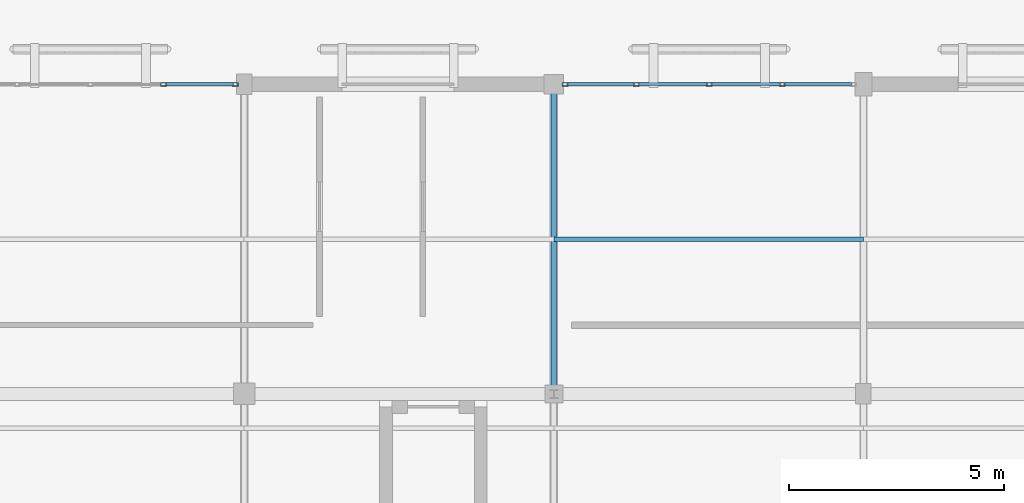
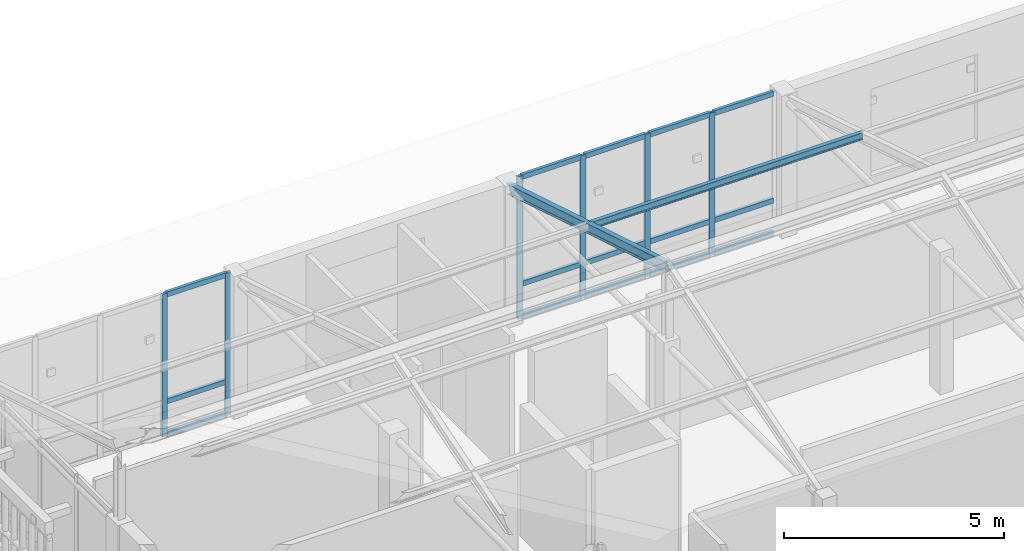
# One storey, part 35 of 61: 23 members, 2 elements without a shape of their own.
"""IFC4 building model written with IfcOpenShell, lengths in metres."""

import ifcopenshell
import ifcopenshell.guid

model = None  # the IFC model being written
_history = None  # IfcOwnerHistory: only IFC2X3 demands one
_inside = {}  # id of a spatial element -> (the spatial element, [elements in it])
_under = {}  # id of a project, library or spatial element -> (it, [spatial elements below it])
_declared = {}  # id of a project -> (the project, [libraries it declares])
_typed = {}  # id of a type object -> (the type object, [elements of that type])
_made_of = {}  # id of a material, layer set ... -> (it, [elements and type objects made of it])


def new_model(schema):
    """Start an empty IFC model of exactly this schema.

    Asked for "IFC4X3", IfcOpenShell would pick the latest addendum, in which some entities
    have other attributes; the version numbers below select the first issue.
    IFC2X3 requires an IfcOwnerHistory on every rooted entity: one is made here for all.
    """
    global model, _history
    if schema == "IFC4X3":
        model = ifcopenshell.file(schema_version=(4, 3, 0, 0))
    else:
        model = ifcopenshell.file(schema=schema)
    _inside.clear()
    _under.clear()
    _declared.clear()
    _typed.clear()
    _made_of.clear()
    _history = None
    if model.schema == "IFC2X3":
        org = make("IfcOrganization", Name="unknown")
        user = make(
            "IfcPersonAndOrganization",
            ThePerson=make("IfcPerson", FamilyName="unknown"),
            TheOrganization=org,
        )
        app = make(
            "IfcApplication",
            ApplicationDeveloper=org,
            Version="unknown",
            ApplicationFullName="unknown",
            ApplicationIdentifier="unknown",
        )
        _history = make(
            "IfcOwnerHistory",
            OwningUser=user,
            OwningApplication=app,
            ChangeAction="ADDED",
            CreationDate=0,
        )
    return model


def make(cls, **values):
    """One entity of the class cls with the attributes given. An attribute that is None is left unset."""
    return model.create_entity(
        cls, **{name: value for name, value in values.items() if value is not None}
    )


def rooted(cls, **values):
    """An entity with a GlobalId (a new one), such as an element, a storey or a relation."""
    return make(cls, GlobalId=ifcopenshell.guid.new(), OwnerHistory=_history, **values)


def si_unit(unit_type, name, prefix=None):
    """IfcSIUnit, for example si_unit("LENGTHUNIT", "METRE", prefix="MILLI")."""
    return make("IfcSIUnit", UnitType=unit_type, Prefix=prefix, Name=name)


def assignment(units):
    """IfcUnitAssignment: the units of a project."""
    return None if units is None else make("IfcUnitAssignment", Units=units)


def point(xyz):
    """IfcCartesianPoint."""
    return None if xyz is None else make("IfcCartesianPoint", Coordinates=xyz)


def direction(xyz):
    """IfcDirection."""
    return None if xyz is None else make("IfcDirection", DirectionRatios=xyz)


def frame(location, z_axis=None, x_axis=None):
    """IfcAxis2Placement3D, a coordinate frame: its origin and axes. An axis left out is left unset."""
    return make(
        "IfcAxis2Placement3D",
        Location=point(location),
        Axis=direction(z_axis),
        RefDirection=direction(x_axis),
    )


def frame_2d(location, x_axis=None):
    """IfcAxis2Placement2D, a coordinate frame in the plane: its origin and x axis."""
    return make(
        "IfcAxis2Placement2D", Location=point(location), RefDirection=direction(x_axis)
    )


def origin():
    """The frame at (0, 0, 0) with its axes left unset."""
    return frame((0.0, 0.0, 0.0))


def origin_2d():
    """The frame at (0, 0) in the plane with its x axis left unset."""
    return frame_2d((0.0, 0.0))


def place(relative_to, where):
    """IfcLocalPlacement: puts the frame where relative to a parent placement (None: the world)."""
    return make(
        "IfcLocalPlacement", PlacementRelTo=relative_to, RelativePlacement=where
    )


def context(
    kind, dimensions, precision=None, world=None, true_north=None, identifier=None
):
    """IfcGeometricRepresentationContext, for example the 3D "Model" context."""
    return make(
        "IfcGeometricRepresentationContext",
        ContextIdentifier=identifier,
        ContextType=kind,
        CoordinateSpaceDimension=dimensions,
        Precision=precision,
        WorldCoordinateSystem=world,
        TrueNorth=true_north,
    )


def subcontext(parent, identifier, kind, view, scale=None):
    """IfcGeometricRepresentationSubContext, for example "Body" below "Model"."""
    return make(
        "IfcGeometricRepresentationSubContext",
        ContextIdentifier=identifier,
        ContextType=kind,
        ParentContext=parent,
        TargetScale=scale,
        TargetView=view,
    )


def project(units=None, contexts=None):
    """IfcProject with its units and contexts."""
    return rooted(
        "IfcProject",
        Name="project",
        RepresentationContexts=contexts,
        UnitsInContext=assignment(units),
    )


def spatial(cls, under=None, at=None, **own):
    """A site, building, storey or space (cls), placed at a placement, below another one or the project."""
    s = rooted(cls, ObjectPlacement=at, **own)
    if under is not None:
        _under.setdefault(under.id(), (under, []))[1].append(s)
    return s


def profile(cls, at=None, kind="AREA", **sizes):
    """A parametric profile (cls). Its sizes go by their IFC names, for example OverallWidth=200.0."""
    return make(cls, ProfileType=kind, Position=at, **sizes)


def hollow_rectangle(**sizes):
    """IfcRectangleHollowProfileDef."""
    return profile("IfcRectangleHollowProfileDef", **sizes)


def i_section(**sizes):
    """IfcIShapeProfileDef."""
    return profile("IfcIShapeProfileDef", **sizes)


def extrude(swept, where, along, depth):
    """IfcExtrudedAreaSolid: the profile swept, set in the frame where, extruded along a direction by depth."""
    return make(
        "IfcExtrudedAreaSolid",
        SweptArea=swept,
        Position=where,
        ExtrudedDirection=direction(along),
        Depth=depth,
    )


def shape(context_of_items, identifier, shape_type, items):
    """IfcShapeRepresentation: the items that make up one representation, for example the "Body"."""
    return make(
        "IfcShapeRepresentation",
        ContextOfItems=context_of_items,
        RepresentationIdentifier=identifier,
        RepresentationType=shape_type,
        Items=items,
    )


def material(Name=None, Category=None):
    """IfcMaterial."""
    return make("IfcMaterial", Name=Name, Category=Category)


def layer(
    of_material, thickness, ventilated=None, Name=None, Category=None, Priority=None
):
    """IfcMaterialLayer: one layer of a wall or slab, of a material (None: an air gap)."""
    return make(
        "IfcMaterialLayer",
        Material=of_material,
        LayerThickness=thickness,
        IsVentilated=ventilated,
        Name=Name,
        Category=Category,
        Priority=Priority,
    )


def layer_set(layers, Name=None):
    """IfcMaterialLayerSet."""
    return make("IfcMaterialLayerSet", MaterialLayers=layers, LayerSetName=Name)


def material_profile(
    of_material, cross_section, Name=None, Category=None, Priority=None
):
    """IfcMaterialProfile: a cross section and its material."""
    return make(
        "IfcMaterialProfile",
        Name=Name,
        Material=of_material,
        Profile=cross_section,
        Priority=Priority,
        Category=Category,
    )


def profile_set(profiles, Name=None, composite=None):
    """IfcMaterialProfileSet."""
    return make(
        "IfcMaterialProfileSet",
        Name=Name,
        MaterialProfiles=profiles,
        CompositeProfile=composite,
    )


def made_of(thing, what):
    """Note that an element or type object is made of a material, layer set ...; save() writes the relation."""
    if what is not None:
        _made_of.setdefault(what.id(), (what, []))[1].append(thing)
    return thing


def type_object(cls, material=None, **own):
    """A type object (cls), such as IfcWallType, which elements share."""
    return made_of(rooted(cls, **own), material)


def element(
    cls,
    number,
    at=None,
    inside=None,
    cuts=None,
    type_object=None,
    material=None,
    context=None,
    identifier="Body",
    shape_type=None,
    held_by="IfcProductDefinitionShape",
    body=None,
    shapes=None,
    **own,
):
    """One element of the class cls, such as IfcWall. Its Tag is "e" and its number.

    at: its placement. inside: the storey or other place that contains it. cuts: it is an
    opening in that element (IfcRelVoidsElement). A single representation is given by context,
    identifier, shape_type and body (its items); several are given by shapes. held_by: the class
    of the entity that holds the representations. save() writes the other relations.
    """
    e = rooted(cls, Tag="e%d" % number, ObjectPlacement=at, **own)
    if body is not None:
        shapes = [shape(context, identifier, shape_type, body)]
    if shapes is not None:
        e.Representation = make(held_by, Representations=shapes)
    if inside is not None:
        _inside.setdefault(inside.id(), (inside, []))[1].append(e)
    if cuts is not None:
        rooted(
            "IfcRelVoidsElement", RelatingBuildingElement=cuts, RelatedOpeningElement=e
        )
    if type_object is not None:
        _typed.setdefault(type_object.id(), (type_object, []))[1].append(e)
    return made_of(e, material)


def aggregate(whole, parts):
    """IfcRelAggregates: a whole, such as a stair, and the parts it consists of."""
    return rooted("IfcRelAggregates", RelatingObject=whole, RelatedObjects=parts)


def save(model, path):
    """Write the relations noted so far, then the file.

    IfcRelAggregates (storeys below a building ...), IfcRelContainedInSpatialStructure (elements
    in a storey), IfcRelDefinesByType, IfcRelAssociatesMaterial and IfcRelDeclares: one each for
    every whole, place, type object, material and project.
    """
    for whole, parts in _under.values():
        aggregate(whole, parts)
    for where, things in _inside.values():
        rooted(
            "IfcRelContainedInSpatialStructure",
            RelatedElements=things,
            RelatingStructure=where,
        )
    for kind, things in _typed.values():
        rooted("IfcRelDefinesByType", RelatedObjects=things, RelatingType=kind)
    for what, things in _made_of.values():
        rooted("IfcRelAssociatesMaterial", RelatedObjects=things, RelatingMaterial=what)
    for by, libraries in _declared.values():
        rooted("IfcRelDeclares", RelatingContext=by, RelatedDefinitions=libraries)
    model.write(path)


model = new_model("IFC4")

# Units and contexts
model_context = context("Model", 3, precision=1e-05, world=origin(), true_north=direction((0.0, 1.0)))
body_context = subcontext(model_context, "Body", "Model", "MODEL_VIEW")
ifc_project = project(units=[si_unit("LENGTHUNIT", "METRE"), si_unit("AREAUNIT", "SQUARE_METRE"), si_unit("VOLUMEUNIT", "CUBIC_METRE"), si_unit("PLANEANGLEUNIT", "RADIAN"), si_unit("MASSUNIT", "GRAM", prefix="KILO")], contexts=[model_context])

# Site, building, storey
site_placement = place(None, origin())
site = spatial("IfcSite", under=ifc_project, at=site_placement, CompositionType="ELEMENT")
building_placement = place(site_placement, origin())
building = spatial("IfcBuilding", under=site, at=building_placement, Name="Mazaris Harbour Polytechnic", CompositionType="ELEMENT")
storey_placement = place(building_placement, frame((0.0, 0.0, 18.0)))
storey = spatial("IfcBuildingStorey", under=building, at=storey_placement, Name="L04", CompositionType="ELEMENT", Elevation=18.0)

# Curtain wall, members
ifc_material_1 = material(Name="Anodised Bronze Aluminium and Low-E Glass", Category="aluminium")
ifc_layer = layer(ifc_material_1, 0.169921875, Name="Anodised Bronze Aluminium and Low-E Glass")
ifc_layer_set = layer_set([ifc_layer], Name="Anodised Bronze Aluminium and Low-E Glass")
curtain_wall_type = type_object("IfcCurtainWallType", Name="Studio North-Light Curtain Wall", PredefinedType="NOTDEFINED", material=ifc_layer_set)
curtain_wall_1_placement = place(storey_placement, origin())
curtain_wall_1 = element("IfcCurtainWall", 1, at=curtain_wall_1_placement, inside=storey, type_object=curtain_wall_type, Name="V5 L04 Curtain Wall 271", PredefinedType="NOTDEFINED")
ifc_material_2 = material(Name="Anodised Bronze Steel S355", Category="steel")
ifc_material_profile_1 = material_profile(ifc_material_2, hollow_rectangle(XDim=0.080078125, YDim=0.139892578125, WallThickness=0.00634765625, at=origin_2d()), Name="RHS 80x140x6.3")
ifc_profile_set_1 = profile_set([ifc_material_profile_1], Name="Anodised Bronze Steel S355")
member_type_1 = type_object("IfcMemberType", Name="Curtain Mullion RHS80x140", PredefinedType="MULLION", material=ifc_profile_set_1)
member_1_placement = place(storey_placement, frame((127.72412109375, 100.800048828125, 0.0), z_axis=(0.0, 0.0, 1.0), x_axis=(0.0, 1.0, 0.0)))
member_1 = element("IfcMember", 2, at=member_1_placement, type_object=member_type_1, Name="CW-03 mullion 4", PredefinedType="MULLION", context=body_context, shape_type="SweptSolid", body=[
    extrude(hollow_rectangle(XDim=0.080078125, YDim=0.139892578125, WallThickness=0.00634765625, at=origin_2d()), origin(), (0.0, 0.0, 1.0), 3.9599609375),
])
member_2_placement = place(storey_placement, frame((129.387939453125, 100.800048828125, 0.0), z_axis=(0.0, 0.0, 1.0), x_axis=(0.0, 1.0, 0.0)))
member_2 = element("IfcMember", 3, at=member_2_placement, type_object=member_type_1, Name="CW-03 mullion 5", PredefinedType="MULLION", context=body_context, shape_type="SweptSolid", body=[
    extrude(hollow_rectangle(XDim=0.080078125, YDim=0.139892578125, WallThickness=0.00634765625, at=origin_2d()), origin(), (0.0, 0.0, 1.0), 3.9599609375),
])

curtain_wall_2_placement = place(storey_placement, origin())
curtain_wall_2 = element("IfcCurtainWall", 4, at=curtain_wall_2_placement, inside=storey, type_object=curtain_wall_type, Name="V5 L04 Curtain Wall 272", PredefinedType="NOTDEFINED")
member_3_placement = place(storey_placement, frame((137.06201171875, 100.800048828125, 0.0), z_axis=(0.0, 0.0, 1.0), x_axis=(0.0, 1.0, 0.0)))
member_3 = element("IfcMember", 5, at=member_3_placement, type_object=member_type_1, Name="CW-03 mullion 1", PredefinedType="MULLION", context=body_context, shape_type="SweptSolid", body=[
    extrude(hollow_rectangle(XDim=0.080078125, YDim=0.139892578125, WallThickness=0.00634765625, at=origin_2d()), origin(), (0.0, 0.0, 1.0), 3.9599609375),
])
member_4_placement = place(storey_placement, frame((138.718505859375, 100.800048828125, 0.0), z_axis=(0.0, 0.0, 1.0), x_axis=(0.0, 1.0, 0.0)))
member_4 = element("IfcMember", 6, at=member_4_placement, type_object=member_type_1, Name="CW-03 mullion 2", PredefinedType="MULLION", context=body_context, shape_type="SweptSolid", body=[
    extrude(hollow_rectangle(XDim=0.080078125, YDim=0.139892578125, WallThickness=0.00634765625, at=origin_2d()), origin(), (0.0, 0.0, 1.0), 3.9599609375),
])
member_5_placement = place(storey_placement, frame((140.4150390625, 100.800048828125, 0.0), z_axis=(0.0, 0.0, 1.0), x_axis=(0.0, 1.0, 0.0)))
member_5 = element("IfcMember", 7, at=member_5_placement, type_object=member_type_1, Name="CW-03 mullion 3", PredefinedType="MULLION", context=body_context, shape_type="SweptSolid", body=[
    extrude(hollow_rectangle(XDim=0.080078125, YDim=0.139892578125, WallThickness=0.00634765625, at=origin_2d()), origin(), (0.0, 0.0, 1.0), 3.9599609375),
])
member_6_placement = place(storey_placement, frame((142.111572265625, 100.800048828125, 0.0), z_axis=(0.0, 0.0, 1.0), x_axis=(0.0, 1.0, 0.0)))
member_6 = element("IfcMember", 8, at=member_6_placement, type_object=member_type_1, Name="CW-03 mullion 4", PredefinedType="MULLION", context=body_context, shape_type="SweptSolid", body=[
    extrude(hollow_rectangle(XDim=0.080078125, YDim=0.139892578125, WallThickness=0.00634765625, at=origin_2d()), origin(), (0.0, 0.0, 1.0), 3.9599609375),
])

# Member
ifc_material_3 = material(Name="Anodised Bronze Steel S355", Category="steel")
ifc_material_profile_2 = material_profile(ifc_material_3, hollow_rectangle(XDim=0.080078125, YDim=0.139892578125, WallThickness=0.00634765625, at=origin_2d()), Name="RHS 80x140x6.3")
ifc_profile_set_2 = profile_set([ifc_material_profile_2], Name="Anodised Bronze Steel S355")
member_type_2 = type_object("IfcMemberType", Name="Curtain Transom RHS80x140", PredefinedType="USERDEFINED", material=ifc_profile_set_2)
member_7_placement = place(storey_placement, frame((127.763916015625, 100.800048828125, 0.0400390625), z_axis=(1.0, 0.0, 0.0), x_axis=(0.0, 1.0, 0.0)))
member_7 = element("IfcMember", 9, at=member_7_placement, type_object=member_type_2, Name="CW-03 transom 4.1", ObjectType="TRANSOM", PredefinedType="USERDEFINED", context=body_context, shape_type="SweptSolid", body=[
    extrude(hollow_rectangle(XDim=0.080078125, YDim=0.139892578125, WallThickness=0.00634765625, at=origin_2d()), origin(), (0.0, 0.0, 1.0), 1.583984375),
])

member_8_placement = place(storey_placement, frame((127.763916015625, 100.800048828125, 0.949951171875), z_axis=(1.0, 0.0, 0.0), x_axis=(0.0, 1.0, 0.0)))
member_8 = element("IfcMember", 10, at=member_8_placement, type_object=member_type_2, Name="CW-03 transom 4.2", ObjectType="TRANSOM", PredefinedType="USERDEFINED", context=body_context, shape_type="SweptSolid", body=[
    extrude(hollow_rectangle(XDim=0.080078125, YDim=0.139892578125, WallThickness=0.00634765625, at=origin_2d()), origin(), (0.0, 0.0, 1.0), 1.583984375),
])

member_9_placement = place(storey_placement, frame((127.763916015625, 100.800048828125, 3.919921875), z_axis=(1.0, 0.0, 0.0), x_axis=(0.0, 1.0, 0.0)))
member_9 = element("IfcMember", 11, at=member_9_placement, type_object=member_type_2, Name="CW-03 transom 4.3", ObjectType="TRANSOM", PredefinedType="USERDEFINED", context=body_context, shape_type="SweptSolid", body=[
    extrude(hollow_rectangle(XDim=0.080078125, YDim=0.139892578125, WallThickness=0.00634765625, at=origin_2d()), origin(), (0.0, 0.0, 1.0), 1.583984375),
])

aggregate(curtain_wall_1, [member_1, member_2, member_7, member_8, member_9])

member_10_placement = place(storey_placement, frame((137.10205078125, 100.800048828125, 0.0400390625), z_axis=(1.0, 0.0, 0.0), x_axis=(0.0, 1.0, 0.0)))
member_10 = element("IfcMember", 12, at=member_10_placement, type_object=member_type_2, Name="CW-03 transom 1.1", ObjectType="TRANSOM", PredefinedType="USERDEFINED", context=body_context, shape_type="SweptSolid", body=[
    extrude(hollow_rectangle(XDim=0.080078125, YDim=0.139892578125, WallThickness=0.00634765625, at=origin_2d()), origin(), (0.0, 0.0, 1.0), 1.576416015625),
])

member_11_placement = place(storey_placement, frame((137.10205078125, 100.800048828125, 0.949951171875), z_axis=(1.0, 0.0, 0.0), x_axis=(0.0, 1.0, 0.0)))
member_11 = element("IfcMember", 13, at=member_11_placement, type_object=member_type_2, Name="CW-03 transom 1.2", ObjectType="TRANSOM", PredefinedType="USERDEFINED", context=body_context, shape_type="SweptSolid", body=[
    extrude(hollow_rectangle(XDim=0.080078125, YDim=0.139892578125, WallThickness=0.00634765625, at=origin_2d()), origin(), (0.0, 0.0, 1.0), 1.576416015625),
])

member_12_placement = place(storey_placement, frame((137.10205078125, 100.800048828125, 3.919921875), z_axis=(1.0, 0.0, 0.0), x_axis=(0.0, 1.0, 0.0)))
member_12 = element("IfcMember", 14, at=member_12_placement, type_object=member_type_2, Name="CW-03 transom 1.3", ObjectType="TRANSOM", PredefinedType="USERDEFINED", context=body_context, shape_type="SweptSolid", body=[
    extrude(hollow_rectangle(XDim=0.080078125, YDim=0.139892578125, WallThickness=0.00634765625, at=origin_2d()), origin(), (0.0, 0.0, 1.0), 1.576416015625),
])

member_13_placement = place(storey_placement, frame((138.758544921875, 100.800048828125, 0.0400390625), z_axis=(1.0, 0.0, 0.0), x_axis=(0.0, 1.0, 0.0)))
member_13 = element("IfcMember", 15, at=member_13_placement, type_object=member_type_2, Name="CW-03 transom 2.1", ObjectType="TRANSOM", PredefinedType="USERDEFINED", context=body_context, shape_type="SweptSolid", body=[
    extrude(hollow_rectangle(XDim=0.080078125, YDim=0.139892578125, WallThickness=0.00634765625, at=origin_2d()), origin(), (0.0, 0.0, 1.0), 1.616455078125),
])

member_14_placement = place(storey_placement, frame((138.758544921875, 100.800048828125, 0.949951171875), z_axis=(1.0, 0.0, 0.0), x_axis=(0.0, 1.0, 0.0)))
member_14 = element("IfcMember", 16, at=member_14_placement, type_object=member_type_2, Name="CW-03 transom 2.2", ObjectType="TRANSOM", PredefinedType="USERDEFINED", context=body_context, shape_type="SweptSolid", body=[
    extrude(hollow_rectangle(XDim=0.080078125, YDim=0.139892578125, WallThickness=0.00634765625, at=origin_2d()), origin(), (0.0, 0.0, 1.0), 1.616455078125),
])

member_15_placement = place(storey_placement, frame((138.758544921875, 100.800048828125, 3.919921875), z_axis=(1.0, 0.0, 0.0), x_axis=(0.0, 1.0, 0.0)))
member_15 = element("IfcMember", 17, at=member_15_placement, type_object=member_type_2, Name="CW-03 transom 2.3", ObjectType="TRANSOM", PredefinedType="USERDEFINED", context=body_context, shape_type="SweptSolid", body=[
    extrude(hollow_rectangle(XDim=0.080078125, YDim=0.139892578125, WallThickness=0.00634765625, at=origin_2d()), origin(), (0.0, 0.0, 1.0), 1.616455078125),
])

member_16_placement = place(storey_placement, frame((140.455078125, 100.800048828125, 0.0400390625), z_axis=(1.0, 0.0, 0.0), x_axis=(0.0, 1.0, 0.0)))
member_16 = element("IfcMember", 18, at=member_16_placement, type_object=member_type_2, Name="CW-03 transom 3.1", ObjectType="TRANSOM", PredefinedType="USERDEFINED", context=body_context, shape_type="SweptSolid", body=[
    extrude(hollow_rectangle(XDim=0.080078125, YDim=0.139892578125, WallThickness=0.00634765625, at=origin_2d()), origin(), (0.0, 0.0, 1.0), 1.616455078125),
])

member_17_placement = place(storey_placement, frame((140.455078125, 100.800048828125, 0.949951171875), z_axis=(1.0, 0.0, 0.0), x_axis=(0.0, 1.0, 0.0)))
member_17 = element("IfcMember", 19, at=member_17_placement, type_object=member_type_2, Name="CW-03 transom 3.2", ObjectType="TRANSOM", PredefinedType="USERDEFINED", context=body_context, shape_type="SweptSolid", body=[
    extrude(hollow_rectangle(XDim=0.080078125, YDim=0.139892578125, WallThickness=0.00634765625, at=origin_2d()), origin(), (0.0, 0.0, 1.0), 1.616455078125),
])

member_18_placement = place(storey_placement, frame((140.455078125, 100.800048828125, 3.919921875), z_axis=(1.0, 0.0, 0.0), x_axis=(0.0, 1.0, 0.0)))
member_18 = element("IfcMember", 20, at=member_18_placement, type_object=member_type_2, Name="CW-03 transom 3.3", ObjectType="TRANSOM", PredefinedType="USERDEFINED", context=body_context, shape_type="SweptSolid", body=[
    extrude(hollow_rectangle(XDim=0.080078125, YDim=0.139892578125, WallThickness=0.00634765625, at=origin_2d()), origin(), (0.0, 0.0, 1.0), 1.616455078125),
])

member_19_placement = place(storey_placement, frame((142.151611328125, 100.800048828125, 0.0400390625), z_axis=(1.0, 0.0, 0.0), x_axis=(0.0, 1.0, 0.0)))
member_19 = element("IfcMember", 21, at=member_19_placement, type_object=member_type_2, Name="CW-03 transom 4.1", ObjectType="TRANSOM", PredefinedType="USERDEFINED", context=body_context, shape_type="SweptSolid", body=[
    extrude(hollow_rectangle(XDim=0.080078125, YDim=0.139892578125, WallThickness=0.00634765625, at=origin_2d()), origin(), (0.0, 0.0, 1.0), 1.576416015625),
])

member_20_placement = place(storey_placement, frame((142.151611328125, 100.800048828125, 0.949951171875), z_axis=(1.0, 0.0, 0.0), x_axis=(0.0, 1.0, 0.0)))
member_20 = element("IfcMember", 22, at=member_20_placement, type_object=member_type_2, Name="CW-03 transom 4.2", ObjectType="TRANSOM", PredefinedType="USERDEFINED", context=body_context, shape_type="SweptSolid", body=[
    extrude(hollow_rectangle(XDim=0.080078125, YDim=0.139892578125, WallThickness=0.00634765625, at=origin_2d()), origin(), (0.0, 0.0, 1.0), 1.576416015625),
])

member_21_placement = place(storey_placement, frame((142.151611328125, 100.800048828125, 3.919921875), z_axis=(1.0, 0.0, 0.0), x_axis=(0.0, 1.0, 0.0)))
member_21 = element("IfcMember", 23, at=member_21_placement, type_object=member_type_2, Name="CW-03 transom 4.3", ObjectType="TRANSOM", PredefinedType="USERDEFINED", context=body_context, shape_type="SweptSolid", body=[
    extrude(hollow_rectangle(XDim=0.080078125, YDim=0.139892578125, WallThickness=0.00634765625, at=origin_2d()), origin(), (0.0, 0.0, 1.0), 1.576416015625),
])

aggregate(curtain_wall_2, [member_3, member_4, member_5, member_6, member_10, member_11, member_12, member_13, member_14, member_15, member_16, member_17, member_18, member_19, member_20, member_21])

# Members
ifc_material_4 = material(Name="Steel S355", Category="steel")
ifc_material_profile_3 = material_profile(ifc_material_4, i_section(OverallWidth=0.10009765625, OverallDepth=0.199951171875, WebThickness=0.005615234375, FlangeThickness=0.008544921875, FilletRadius=0.011962890625, at=origin_2d()), Name="IPE 200")
ifc_profile_set_3 = profile_set([ifc_material_profile_3], Name="Steel S355")
member_type_3 = type_object("IfcMemberType", Name="Steel Purlin IPE200", PredefinedType="PURLIN", material=ifc_profile_set_3)
member_22_placement = place(storey_placement, frame((136.800048828125, 97.199951171875, 4.840087890625), z_axis=(1.0, 0.0, 0.0), x_axis=(0.0, 1.0, 0.0)))
element("IfcMember", 24, at=member_22_placement, inside=storey, type_object=member_type_3, Name="V5 Studio Roof Purlin 195", PredefinedType="PURLIN", context=body_context, shape_type="SweptSolid", body=[
    extrude(i_section(OverallWidth=0.10009765625, OverallDepth=0.199951171875, WebThickness=0.005615234375, FlangeThickness=0.008544921875, FilletRadius=0.011962890625, at=origin_2d()), origin(), (0.0, 0.0, 1.0), 7.199951171875),
])
ifc_material_5 = material(Name="Steel S355", Category="steel")
ifc_material_profile_4 = material_profile(ifc_material_5, i_section(OverallWidth=0.135009765625, OverallDepth=0.27001953125, WebThickness=0.006591796875, FlangeThickness=0.01025390625, FilletRadius=0.014892578125, at=origin_2d()), Name="IPE 270")
ifc_profile_set_4 = profile_set([ifc_material_profile_4], Name="Steel S355")
member_type_4 = type_object("IfcMemberType", Name="Steel Rafter IPE270", PredefinedType="RAFTER", material=ifc_profile_set_4)
member_23_placement = place(storey_placement, frame((136.800048828125, 93.60009765625, 5.89990234375), z_axis=(0.0, 0.95635282974, -0.292214416222), x_axis=(-1.0, 0.0, 0.0)))
element("IfcMember", 25, at=member_23_placement, inside=storey, type_object=member_type_4, Name="V5 Studio North Rafter 14", PredefinedType="RAFTER", context=body_context, shape_type="SweptSolid", body=[
    extrude(i_section(OverallWidth=0.135009765625, OverallDepth=0.27001953125, WebThickness=0.006591796875, FlangeThickness=0.01025390625, FilletRadius=0.014892578125, at=origin_2d()), origin(), (0.0, 0.0, 1.0), 7.528564453125),
])

save(model, "model.ifc")
